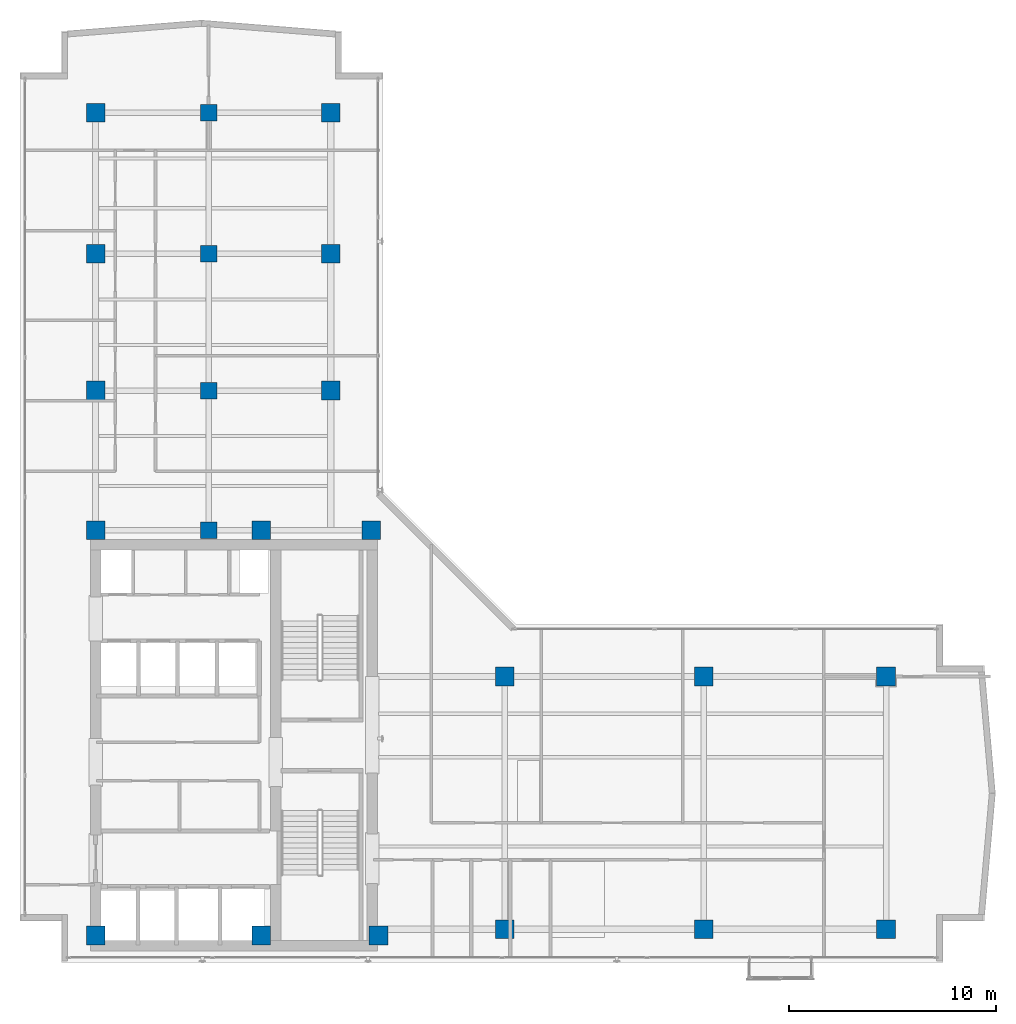
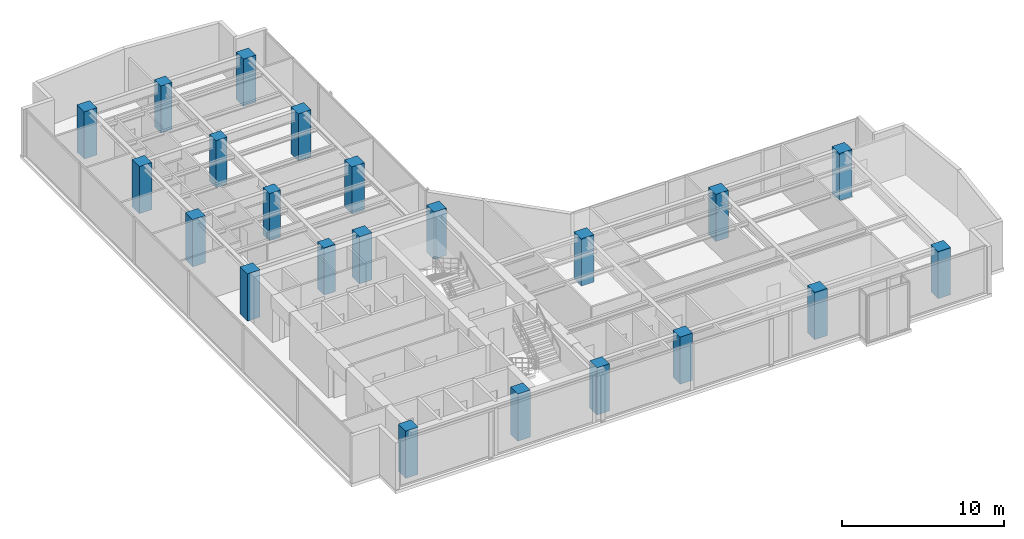
# One storey, part 1 of 23: 22 columns.
"""IFC4 building model written with IfcOpenShell, lengths in metres."""

import ifcopenshell
import ifcopenshell.guid

model = None  # the IFC model being written
_history = None  # IfcOwnerHistory: only IFC2X3 demands one
_inside = {}  # id of a spatial element -> (the spatial element, [elements in it])
_under = {}  # id of a project, library or spatial element -> (it, [spatial elements below it])
_declared = {}  # id of a project -> (the project, [libraries it declares])
_typed = {}  # id of a type object -> (the type object, [elements of that type])
_made_of = {}  # id of a material, layer set ... -> (it, [elements and type objects made of it])


def new_model(schema):
    """Start an empty IFC model of exactly this schema.

    Asked for "IFC4X3", IfcOpenShell would pick the latest addendum, in which some entities
    have other attributes; the version numbers below select the first issue.
    IFC2X3 requires an IfcOwnerHistory on every rooted entity: one is made here for all.
    """
    global model, _history
    if schema == "IFC4X3":
        model = ifcopenshell.file(schema_version=(4, 3, 0, 0))
    else:
        model = ifcopenshell.file(schema=schema)
    _inside.clear()
    _under.clear()
    _declared.clear()
    _typed.clear()
    _made_of.clear()
    _history = None
    if model.schema == "IFC2X3":
        org = make("IfcOrganization", Name="unknown")
        user = make(
            "IfcPersonAndOrganization",
            ThePerson=make("IfcPerson", FamilyName="unknown"),
            TheOrganization=org,
        )
        app = make(
            "IfcApplication",
            ApplicationDeveloper=org,
            Version="unknown",
            ApplicationFullName="unknown",
            ApplicationIdentifier="unknown",
        )
        _history = make(
            "IfcOwnerHistory",
            OwningUser=user,
            OwningApplication=app,
            ChangeAction="ADDED",
            CreationDate=0,
        )
    return model


def make(cls, **values):
    """One entity of the class cls with the attributes given. An attribute that is None is left unset."""
    return model.create_entity(
        cls, **{name: value for name, value in values.items() if value is not None}
    )


def rooted(cls, **values):
    """An entity with a GlobalId (a new one), such as an element, a storey or a relation."""
    return make(cls, GlobalId=ifcopenshell.guid.new(), OwnerHistory=_history, **values)


def si_unit(unit_type, name, prefix=None):
    """IfcSIUnit, for example si_unit("LENGTHUNIT", "METRE", prefix="MILLI")."""
    return make("IfcSIUnit", UnitType=unit_type, Prefix=prefix, Name=name)


def assignment(units):
    """IfcUnitAssignment: the units of a project."""
    return None if units is None else make("IfcUnitAssignment", Units=units)


def point(xyz):
    """IfcCartesianPoint."""
    return None if xyz is None else make("IfcCartesianPoint", Coordinates=xyz)


def direction(xyz):
    """IfcDirection."""
    return None if xyz is None else make("IfcDirection", DirectionRatios=xyz)


def frame(location, z_axis=None, x_axis=None):
    """IfcAxis2Placement3D, a coordinate frame: its origin and axes. An axis left out is left unset."""
    return make(
        "IfcAxis2Placement3D",
        Location=point(location),
        Axis=direction(z_axis),
        RefDirection=direction(x_axis),
    )


def frame_2d(location, x_axis=None):
    """IfcAxis2Placement2D, a coordinate frame in the plane: its origin and x axis."""
    return make(
        "IfcAxis2Placement2D", Location=point(location), RefDirection=direction(x_axis)
    )


def origin():
    """The frame at (0, 0, 0) with its axes left unset."""
    return frame((0.0, 0.0, 0.0))


def origin_2d():
    """The frame at (0, 0) in the plane with its x axis left unset."""
    return frame_2d((0.0, 0.0))


def place(relative_to, where):
    """IfcLocalPlacement: puts the frame where relative to a parent placement (None: the world)."""
    return make(
        "IfcLocalPlacement", PlacementRelTo=relative_to, RelativePlacement=where
    )


def context(
    kind, dimensions, precision=None, world=None, true_north=None, identifier=None
):
    """IfcGeometricRepresentationContext, for example the 3D "Model" context."""
    return make(
        "IfcGeometricRepresentationContext",
        ContextIdentifier=identifier,
        ContextType=kind,
        CoordinateSpaceDimension=dimensions,
        Precision=precision,
        WorldCoordinateSystem=world,
        TrueNorth=true_north,
    )


def subcontext(parent, identifier, kind, view, scale=None):
    """IfcGeometricRepresentationSubContext, for example "Body" below "Model"."""
    return make(
        "IfcGeometricRepresentationSubContext",
        ContextIdentifier=identifier,
        ContextType=kind,
        ParentContext=parent,
        TargetScale=scale,
        TargetView=view,
    )


def project(units=None, contexts=None):
    """IfcProject with its units and contexts."""
    return rooted(
        "IfcProject",
        Name="project",
        RepresentationContexts=contexts,
        UnitsInContext=assignment(units),
    )


def spatial(cls, under=None, at=None, **own):
    """A site, building, storey or space (cls), placed at a placement, below another one or the project."""
    s = rooted(cls, ObjectPlacement=at, **own)
    if under is not None:
        _under.setdefault(under.id(), (under, []))[1].append(s)
    return s


def profile(cls, at=None, kind="AREA", **sizes):
    """A parametric profile (cls). Its sizes go by their IFC names, for example OverallWidth=200.0."""
    return make(cls, ProfileType=kind, Position=at, **sizes)


def rectangle(**sizes):
    """IfcRectangleProfileDef."""
    return profile("IfcRectangleProfileDef", **sizes)


def extrude(swept, where, along, depth):
    """IfcExtrudedAreaSolid: the profile swept, set in the frame where, extruded along a direction by depth."""
    return make(
        "IfcExtrudedAreaSolid",
        SweptArea=swept,
        Position=where,
        ExtrudedDirection=direction(along),
        Depth=depth,
    )


def shape(context_of_items, identifier, shape_type, items):
    """IfcShapeRepresentation: the items that make up one representation, for example the "Body"."""
    return make(
        "IfcShapeRepresentation",
        ContextOfItems=context_of_items,
        RepresentationIdentifier=identifier,
        RepresentationType=shape_type,
        Items=items,
    )


def material(Name=None, Category=None):
    """IfcMaterial."""
    return make("IfcMaterial", Name=Name, Category=Category)


def material_profile(
    of_material, cross_section, Name=None, Category=None, Priority=None
):
    """IfcMaterialProfile: a cross section and its material."""
    return make(
        "IfcMaterialProfile",
        Name=Name,
        Material=of_material,
        Profile=cross_section,
        Priority=Priority,
        Category=Category,
    )


def profile_set(profiles, Name=None, composite=None):
    """IfcMaterialProfileSet."""
    return make(
        "IfcMaterialProfileSet",
        Name=Name,
        MaterialProfiles=profiles,
        CompositeProfile=composite,
    )


def made_of(thing, what):
    """Note that an element or type object is made of a material, layer set ...; save() writes the relation."""
    if what is not None:
        _made_of.setdefault(what.id(), (what, []))[1].append(thing)
    return thing


def type_object(cls, material=None, **own):
    """A type object (cls), such as IfcWallType, which elements share."""
    return made_of(rooted(cls, **own), material)


def element(
    cls,
    number,
    at=None,
    inside=None,
    cuts=None,
    type_object=None,
    material=None,
    context=None,
    identifier="Body",
    shape_type=None,
    held_by="IfcProductDefinitionShape",
    body=None,
    shapes=None,
    **own,
):
    """One element of the class cls, such as IfcWall. Its Tag is "e" and its number.

    at: its placement. inside: the storey or other place that contains it. cuts: it is an
    opening in that element (IfcRelVoidsElement). A single representation is given by context,
    identifier, shape_type and body (its items); several are given by shapes. held_by: the class
    of the entity that holds the representations. save() writes the other relations.
    """
    e = rooted(cls, Tag="e%d" % number, ObjectPlacement=at, **own)
    if body is not None:
        shapes = [shape(context, identifier, shape_type, body)]
    if shapes is not None:
        e.Representation = make(held_by, Representations=shapes)
    if inside is not None:
        _inside.setdefault(inside.id(), (inside, []))[1].append(e)
    if cuts is not None:
        rooted(
            "IfcRelVoidsElement", RelatingBuildingElement=cuts, RelatedOpeningElement=e
        )
    if type_object is not None:
        _typed.setdefault(type_object.id(), (type_object, []))[1].append(e)
    return made_of(e, material)


def aggregate(whole, parts):
    """IfcRelAggregates: a whole, such as a stair, and the parts it consists of."""
    return rooted("IfcRelAggregates", RelatingObject=whole, RelatedObjects=parts)


def save(model, path):
    """Write the relations noted so far, then the file.

    IfcRelAggregates (storeys below a building ...), IfcRelContainedInSpatialStructure (elements
    in a storey), IfcRelDefinesByType, IfcRelAssociatesMaterial and IfcRelDeclares: one each for
    every whole, place, type object, material and project.
    """
    for whole, parts in _under.values():
        aggregate(whole, parts)
    for where, things in _inside.values():
        rooted(
            "IfcRelContainedInSpatialStructure",
            RelatedElements=things,
            RelatingStructure=where,
        )
    for kind, things in _typed.values():
        rooted("IfcRelDefinesByType", RelatedObjects=things, RelatingType=kind)
    for what, things in _made_of.values():
        rooted("IfcRelAssociatesMaterial", RelatedObjects=things, RelatingMaterial=what)
    for by, libraries in _declared.values():
        rooted("IfcRelDeclares", RelatingContext=by, RelatedDefinitions=libraries)
    model.write(path)


model = new_model("IFC4")

# Units and contexts
model_context = context("Model", 3, precision=1e-05, world=origin(), true_north=direction((0.0, 1.0)))
body_context = subcontext(model_context, "Body", "Model", "MODEL_VIEW")
ifc_project = project(units=[si_unit("LENGTHUNIT", "METRE"), si_unit("AREAUNIT", "SQUARE_METRE"), si_unit("VOLUMEUNIT", "CUBIC_METRE"), si_unit("PLANEANGLEUNIT", "RADIAN"), si_unit("MASSUNIT", "GRAM", prefix="KILO")], contexts=[model_context])

# Site, building, storey
site_placement = place(None, origin())
site = spatial("IfcSite", under=ifc_project, at=site_placement, CompositionType="ELEMENT")
building_placement = place(site_placement, origin())
building = spatial("IfcBuilding", under=site, at=building_placement, Name="Kolvaren Waterfront Exchange", CompositionType="ELEMENT")
storey_placement = place(building_placement, frame((0.0, 0.0, 289.39990234375)))
storey = spatial("IfcBuildingStorey", under=building, at=storey_placement, Name="L74", CompositionType="ELEMENT", Elevation=289.39990234375)

# Columns
ifc_material = material(Name="Concrete C50/60", Category="concrete")
ifc_material_profile_1 = material_profile(ifc_material, rectangle(XDim=0.800048828125, YDim=0.800048828125, at=origin_2d()), Name="RC-COL-800x800")
ifc_profile_set_1 = profile_set([ifc_material_profile_1], Name="Concrete C50/60")
column_type_1 = type_object("IfcColumnType", Name="STR-COL-800-C50", PredefinedType="COLUMN", material=ifc_profile_set_1)
for number, where, z_axis, x_axis, name in (
    (1, (12.89990234375, 24.449951171875, 0.0), (0.0, 0.0, 1.0), (1.0, 0.0, 0.0), "L74 column TC01"),
    (2, (12.89990234375, 31.199951171875, 0.0), (0.0, 0.0, 1.0), (1.0, 0.0, 0.0), "L74 column TC02"),
    (3, (12.89990234375, 37.800048828125, 0.0), (0.0, 0.0, 1.0), (1.0, 0.0, 0.0), "L74 column TC03"),
    (4, (12.89990234375, 44.60009765625, 0.0), (0.0, 0.0, 1.0), (1.0, 0.0, 0.0), "L74 column TC04"),
):
    element("IfcColumn", number, at=place(storey_placement, frame(where, z_axis=z_axis, x_axis=x_axis)), inside=storey, type_object=column_type_1, Name=name, PredefinedType="COLUMN", context=body_context, shape_type="SweptSolid", body=[
        extrude(rectangle(XDim=0.800048828125, YDim=0.800048828125, at=origin_2d()), origin(), (0.0, 0.0, 1.0), 3.56005859375),
    ])
ifc_material_profile_2 = material_profile(ifc_material, rectangle(XDim=0.89990234375, YDim=0.89990234375, at=origin_2d()), Name="RC-COL-900x900")
ifc_profile_set_2 = profile_set([ifc_material_profile_2], Name="Concrete C50/60")
column_type_2 = type_object("IfcColumnType", Name="STR-COL-900-C50", PredefinedType="COLUMN", material=ifc_profile_set_2)
for number, where, z_axis, x_axis, name in (
    (5, (7.449951171875, 4.89990234375, 0.0), (0.0, 0.0, 1.0), (1.0, 0.0, 0.0), "L74 column MC01"),
    (6, (15.449951171875, 4.89990234375, 0.0), (0.0, 0.0, 1.0), (1.0, 0.0, 0.0), "L74 column MC02"),
    (7, (21.10009765625, 4.89990234375, 0.0), (0.0, 0.0, 1.0), (1.0, 0.0, 0.0), "L74 column MC03"),
    (8, (7.449951171875, 24.449951171875, 0.0), (0.0, 0.0, 1.0), (1.0, 0.0, 0.0), "L74 column MC04"),
    (9, (15.449951171875, 24.449951171875, 0.0), (0.0, 0.0, 1.0), (1.0, 0.0, 0.0), "L74 column MC05"),
    (10, (20.75, 24.449951171875, 0.0), (0.0, 0.0, 1.0), (1.0, 0.0, 0.0), "L74 column MC06"),
    (11, (7.449951171875, 31.199951171875, 0.0), (0.0, 0.0, 1.0), (1.0, 0.0, 0.0), "L74 column NC01"),
    (12, (7.449951171875, 37.800048828125, 0.0), (0.0, 0.0, 1.0), (1.0, 0.0, 0.0), "L74 column NC02"),
    (13, (7.449951171875, 44.60009765625, 0.0), (0.0, 0.0, 1.0), (1.0, 0.0, 0.0), "L74 column NC03"),
    (14, (18.800048828125, 31.199951171875, 0.0), (0.0, 0.0, 1.0), (1.0, 0.0, 0.0), "L74 column NC04"),
    (15, (18.800048828125, 37.800048828125, 0.0), (0.0, 0.0, 1.0), (1.0, 0.0, 0.0), "L74 column NC05"),
    (16, (18.800048828125, 44.60009765625, 0.0), (0.0, 0.0, 1.0), (1.0, 0.0, 0.0), "L74 column NC06"),
    (17, (27.199951171875, 5.199951171875, 0.0), (0.0, 0.0, 1.0), (1.0, 0.0, 0.0), "L74 column EC01"),
    (18, (36.800048828125, 5.199951171875, 0.0), (0.0, 0.0, 1.0), (1.0, 0.0, 0.0), "L74 column EC02"),
    (19, (45.60009765625, 5.199951171875, 0.0), (0.0, 0.0, 1.0), (1.0, 0.0, 0.0), "L74 column EC03"),
    (20, (27.199951171875, 17.39990234375, 0.0), (0.0, 0.0, 1.0), (1.0, 0.0, 0.0), "L74 column EC04"),
    (21, (36.800048828125, 17.39990234375, 0.0), (0.0, 0.0, 1.0), (1.0, 0.0, 0.0), "L74 column EC05"),
    (22, (45.60009765625, 17.39990234375, 0.0), (0.0, 0.0, 1.0), (1.0, 0.0, 0.0), "L74 column EC06"),
):
    element("IfcColumn", number, at=place(storey_placement, frame(where, z_axis=z_axis, x_axis=x_axis)), inside=storey, type_object=column_type_2, Name=name, PredefinedType="COLUMN", context=body_context, shape_type="SweptSolid", body=[
        extrude(rectangle(XDim=0.89990234375, YDim=0.89990234375, at=origin_2d()), origin(), (0.0, 0.0, 1.0), 3.56005859375),
    ])

save(model, "model.ifc")
